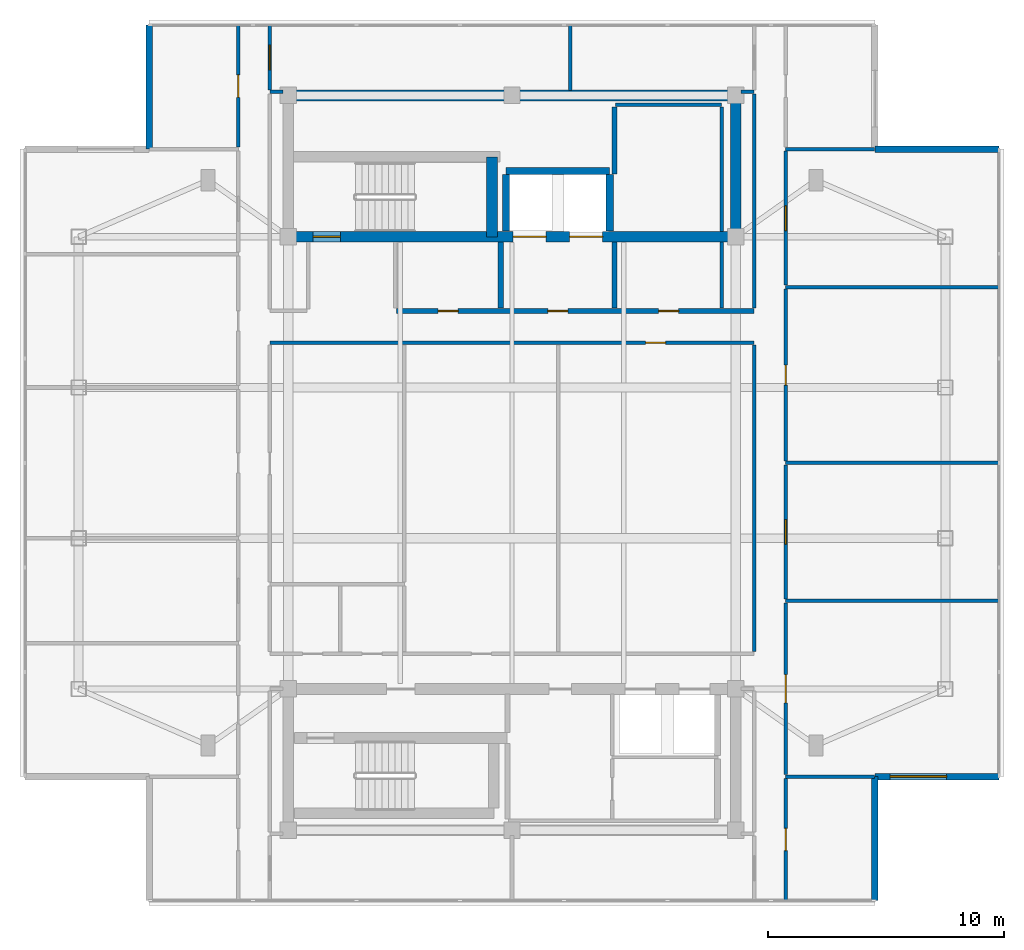
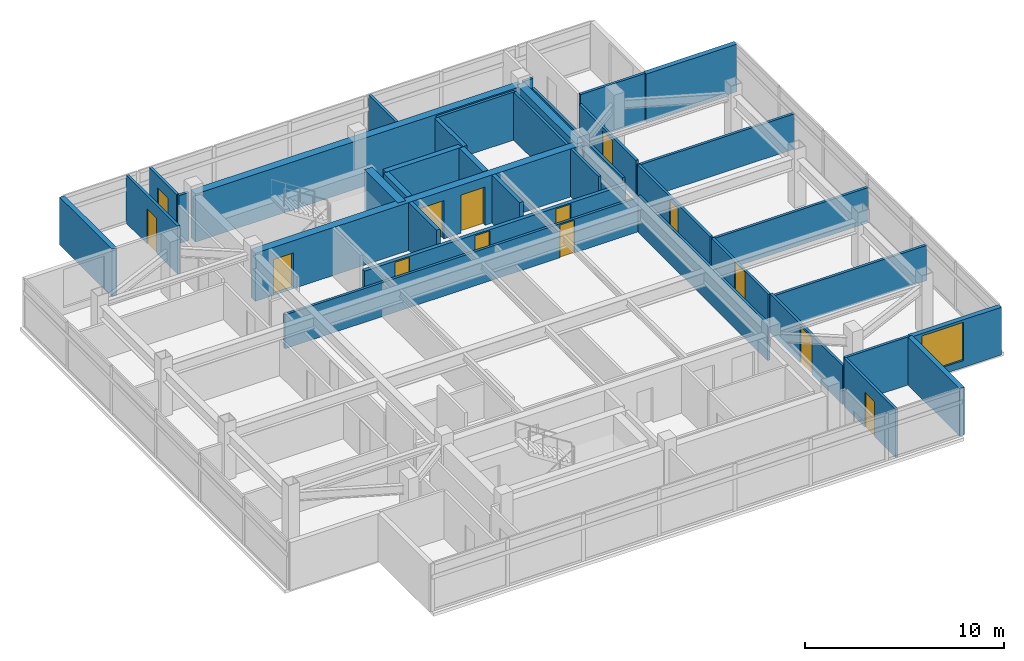
# One storey, part 7 of 11: 36 walls, 14 doors, 1 window, 15 openings.
"""IFC4 building model written with IfcOpenShell, lengths in metres."""

from ifc_helpers import new_model, si_unit, direction, frame, frame_2d, origin, place, context, subcontext, project, spatial, rectangle, extrude, material, layer, layer_set, type_object, element, fill, save


model = new_model("IFC4")

# Units and contexts
model_context = context("Model", 3, precision=1e-05, world=origin(), true_north=direction((0.0, 1.0)))
body_context = subcontext(model_context, "Body", "Model", "MODEL_VIEW")
ifc_project = project(units=[si_unit("LENGTHUNIT", "METRE"), si_unit("AREAUNIT", "SQUARE_METRE"), si_unit("VOLUMEUNIT", "CUBIC_METRE"), si_unit("PLANEANGLEUNIT", "RADIAN"), si_unit("MASSUNIT", "GRAM", prefix="KILO")], contexts=[model_context])

# Site, building, storey
site_placement = place(None, origin())
site = spatial("IfcSite", under=ifc_project, at=site_placement, CompositionType="ELEMENT")
building_placement = place(site_placement, origin())
building = spatial("IfcBuilding", under=site, at=building_placement, Name="Mirazonda Arch Towers", CompositionType="ELEMENT")
storey_placement = place(building_placement, frame((0.0, 0.0, 259.89990234375)))
storey = spatial("IfcBuildingStorey", under=building, at=storey_placement, Name="L74", CompositionType="ELEMENT", Elevation=259.89990234375)

# Walls
ifc_material_1 = material(Name="Concrete C50/60", Category="concrete")
ifc_layer_1 = layer(ifc_material_1, 0.449951171875, Name="WALL-CORE-450")
ifc_layer_set_1 = layer_set([ifc_layer_1], Name="Concrete C50/60")
wall_type_1 = type_object("IfcWallType", Name="WALL-CORE-450", PredefinedType="SHEAR", material=ifc_layer_set_1)
wall_1_placement = place(storey_placement, frame((11.0, 43.60009765625, 0.0), z_axis=(0.0, 0.0, 1.0), x_axis=(1.0, 0.0, 0.0)))
element("IfcWall", 1, at=wall_1_placement, inside=storey, type_object=wall_type_1, Name="L74 T1N-N Core Shear Wall", PredefinedType="SHEAR", context=body_context, shape_type="SweptSolid", body=[
    extrude(rectangle(XDim=19.0, YDim=0.449951171875, at=frame_2d((9.5, 0.0))), origin(), (0.0, 0.0, 1.0), 2.9501953125),
])
wall_2_placement = place(storey_placement, frame((30.0, 37.60009765625, 0.0), z_axis=(0.0, 0.0, 1.0), x_axis=(0.0, 1.0, 0.0)))
element("IfcWall", 2, at=wall_2_placement, inside=storey, type_object=wall_type_1, Name="L74 T1N-E Core Shear Wall", PredefinedType="SHEAR", context=body_context, shape_type="SweptSolid", body=[
    extrude(rectangle(XDim=6.0, YDim=0.449951171875, at=frame_2d((3.0, 0.0))), origin(), (0.0, 0.0, 1.0), 2.9501953125),
])

# Wall, openings, doors
wall_3_placement = place(storey_placement, frame((11.0, 37.60009765625, 0.0), z_axis=(0.0, 0.0, 1.0), x_axis=(1.0, 0.0, 0.0)))
wall_3 = element("IfcWall", 3, at=wall_3_placement, inside=storey, type_object=wall_type_1, Name="L74 T1N-S Core Shear Wall", PredefinedType="SHEAR", context=body_context, shape_type="SweptSolid", body=[
    extrude(rectangle(XDim=19.0, YDim=0.449951171875, at=frame_2d((9.5, 0.0))), origin(), (0.0, 0.0, 1.0), 2.9501953125),
])
opening_1_placement = place(wall_3_placement, frame((1.06005859375, 0.0, 0.0)))
opening_1 = element("IfcOpeningElement", 4, at=opening_1_placement, cuts=wall_3, Name="Opening DR-135", PredefinedType="OPENING", context=body_context, shape_type="SweptSolid", body=[
    extrude(rectangle(XDim=1.14990234375, YDim=2.199951171875, at=frame_2d((0.574951171875, 1.10009765625))), frame((0.0, 0.23486328125, 0.0), z_axis=(0.0, -1.0, 0.0), x_axis=(1.0, 0.0, 0.0)), (0.0, 0.0, 1.0), 0.469970703125),
])
opening_2_placement = place(wall_3_placement, frame((9.550048828125, 0.0, 0.0)))
opening_2 = element("IfcOpeningElement", 5, at=opening_2_placement, cuts=wall_3, Name="Opening LD-112", PredefinedType="OPENING", context=body_context, shape_type="SweptSolid", body=[
    extrude(rectangle(XDim=1.39990234375, YDim=2.35009765625, at=frame_2d((0.699951171875, 1.175048828125))), frame((0.0, 0.23486328125, 0.0), z_axis=(0.0, -1.0, 0.0), x_axis=(1.0, 0.0, 0.0)), (0.0, 0.0, 1.0), 0.469970703125),
])
opening_3_placement = place(wall_3_placement, frame((11.949951171875, 0.0, 0.0)))
opening_3 = element("IfcOpeningElement", 6, at=opening_3_placement, cuts=wall_3, Name="Opening LD-112", PredefinedType="OPENING", context=body_context, shape_type="SweptSolid", body=[
    extrude(rectangle(XDim=1.39990234375, YDim=2.35009765625, at=frame_2d((0.699951171875, 1.175048828125))), frame((0.0, 0.23486328125, 0.0), z_axis=(0.0, -1.0, 0.0), x_axis=(1.0, 0.0, 0.0)), (0.0, 0.0, 1.0), 0.469970703125),
])
ifc_material_2 = material(Name="Architectural Brushed Steel S355", Category="steel")
door_type_1 = type_object("IfcDoorType", Name="DOOR-LIFT-FFL-1400", OperationType="NOTDEFINED", PredefinedType="DOOR", material=ifc_material_2)
door_1_placement = place(opening_2_placement, origin())
door_1 = element("IfcDoor", 7, at=door_1_placement, inside=storey, type_object=door_type_1, Name="L74 Lift Landing Sliding Door FFL-T1", OperationType="DOUBLE_DOOR_SLIDING", OverallHeight=2.35009765625, OverallWidth=1.39990234375, PredefinedType="DOOR", context=body_context, shape_type="SweptSolid", body=[
    extrude(rectangle(XDim=1.39990234375, YDim=2.35009765625, at=frame_2d((0.699951171875, 1.175048828125))), frame((0.0, 0.02490234375, 0.0), z_axis=(0.0, -1.0, 0.0), x_axis=(1.0, 0.0, 0.0)), (0.0, 0.0, 1.0), 0.050048828125),
])
fill(opening_2, door_1)
door_2_placement = place(opening_3_placement, origin())
door_2 = element("IfcDoor", 8, at=door_2_placement, inside=storey, type_object=door_type_1, Name="L74 Lift Landing Sliding Door SVL-T1", OperationType="DOUBLE_DOOR_SLIDING", OverallHeight=2.35009765625, OverallWidth=1.39990234375, PredefinedType="DOOR", context=body_context, shape_type="SweptSolid", body=[
    extrude(rectangle(XDim=1.39990234375, YDim=2.35009765625, at=frame_2d((0.699951171875, 1.175048828125))), frame((0.0, 0.02490234375, 0.0), z_axis=(0.0, -1.0, 0.0), x_axis=(1.0, 0.0, 0.0)), (0.0, 0.0, 1.0), 0.050048828125),
])
fill(opening_3, door_2)
door_type_2 = type_object("IfcDoorType", Name="DOOR-STAIR-FD90-1150", OperationType="NOTDEFINED", PredefinedType="DOOR", material=ifc_material_2)
door_3_placement = place(opening_1_placement, origin())
door_3 = element("IfcDoor", 9, at=door_3_placement, inside=storey, type_object=door_type_2, Name="L74 Protected Exit Stair North Door", OperationType="SINGLE_SWING_RIGHT", OverallHeight=2.199951171875, OverallWidth=1.14990234375, PredefinedType="DOOR", context=body_context, shape_type="SweptSolid", body=[
    extrude(rectangle(XDim=1.14990234375, YDim=2.199951171875, at=frame_2d((0.574951171875, 1.10009765625))), frame((0.0, 0.02490234375, 0.0), z_axis=(0.0, -1.0, 0.0), x_axis=(1.0, 0.0, 0.0)), (0.0, 0.0, 1.0), 0.050048828125),
])
fill(opening_1, door_3)

# Wall
wall_4_placement = place(storey_placement, frame((19.64990234375, 37.60009765625, 0.0), z_axis=(0.0, 0.0, 1.0), x_axis=(0.0, 1.0, 0.0)))
element("IfcWall", 10, at=wall_4_placement, inside=storey, type_object=wall_type_1, Name="L74 T1N-STE Core Shear Wall", PredefinedType="SHEAR", context=body_context, shape_type="SweptSolid", body=[
    extrude(rectangle(XDim=3.392822265625, YDim=0.449951171875, at=frame_2d((1.6962890625, 0.0))), origin(), (0.0, 0.0, 1.0), 2.9501953125),
])

# Wall, opening, window
ifc_material_3 = material(Name="Precast Concrete C40/50", Category="concrete")
ifc_layer_2 = layer(ifc_material_3, 0.280029296875, Name="WALL-EXT-WALL-280")
ifc_layer_set_2 = layer_set([ifc_layer_2], Name="Precast Concrete C40/50")
wall_type_2 = type_object("IfcWallType", Name="WALL-EXT-WALL-280", PredefinedType="SOLIDWALL", material=ifc_layer_set_2)
wall_5_placement = place(storey_placement, frame((35.905029296875, 14.680908203125, 0.0), z_axis=(0.0, 0.0, 1.0), x_axis=(1.0, 0.0, 0.0)))
wall_5 = element("IfcWall", 11, at=wall_5_placement, inside=storey, type_object=wall_type_2, Name="L74 T1 Corner Notch Return Wall WL-L74-T1-CSE1", PredefinedType="SOLIDWALL", context=body_context, shape_type="SweptSolid", body=[
    extrude(rectangle(XDim=5.264892578125, YDim=0.280029296875, at=frame_2d((2.63232421875, 0.0))), origin(), (0.0, 0.0, 1.0), 2.93017578125),
])
opening_4_placement = place(wall_5_placement, frame((0.64990234375, 0.0, 0.429931640625)))
opening_4 = element("IfcOpeningElement", 12, at=opening_4_placement, cuts=wall_5, Name="Opening WN-121", PredefinedType="OPENING", context=body_context, shape_type="SweptSolid", body=[
    extrude(rectangle(XDim=2.39990234375, YDim=2.35009765625, at=frame_2d((1.199951171875, 1.175048828125))), frame((0.0, 0.14990234375, 0.0), z_axis=(0.0, -1.0, 0.0), x_axis=(1.0, 0.0, 0.0)), (0.0, 0.0, 1.0), 0.300048828125),
])
ifc_material_4 = material(Name="Insulated Low-E Solar Glass", Category="glass")
window_type = type_object("IfcWindowType", Name="WIN-PENT-2400x2350", PartitioningType="SINGLE_PANEL", PredefinedType="WINDOW", material=ifc_material_4)
window_placement = place(opening_4_placement, origin())
window = element("IfcWindow", 13, at=window_placement, inside=storey, type_object=window_type, Name="L74 Punched Facade Window WN-L74-T1-CSE1", OverallHeight=2.35009765625, OverallWidth=2.39990234375, PartitioningType="SINGLE_PANEL", PredefinedType="WINDOW", context=body_context, shape_type="SweptSolid", body=[
    extrude(rectangle(XDim=2.39990234375, YDim=2.35009765625, at=frame_2d((1.199951171875, 1.175048828125))), frame((0.0, 0.030029296875, 0.0), z_axis=(0.0, -1.0, 0.0), x_axis=(1.0, 0.0, 0.0)), (0.0, 0.0, 1.0), 0.06005859375),
])
fill(opening_4, window)

# Walls
for number, where, z_axis, x_axis, name in (
    (14, (35.905029296875, 9.416015625, 0.0), (0.0, 0.0, 1.0), (0.0, 1.0, 0.0), "L74 T1 Corner Notch Return Wall WL-L74-T1-CSE2"),
    (15, (5.094970703125, 46.583984375, 0.0), (0.0, 0.0, 1.0), (0.0, -1.0, 0.0), "L74 T1 Corner Notch Return Wall WL-L74-T1-CNW2"),
    (16, (41.169921875, 41.319091796875, 0.0), (0.0, 0.0, 1.0), (-1.0, 0.0, 0.0), "L74 T1 Corner Notch Return Wall WL-L74-T1-CNE2"),
):
    element("IfcWall", number, at=place(storey_placement, frame(where, z_axis=z_axis, x_axis=x_axis)), inside=storey, type_object=wall_type_2, Name=name, PredefinedType="SOLIDWALL", context=body_context, shape_type="SweptSolid", body=[
        extrude(rectangle(XDim=5.264892578125, YDim=0.280029296875, at=frame_2d((2.63232421875, 0.0))), origin(), (0.0, 0.0, 1.0), 2.93017578125),
    ])

# Wall, openings, doors
ifc_material_5 = material(Name="Concrete C40/50", Category="concrete")
ifc_layer_3 = layer(ifc_material_5, 0.219970703125, Name="WALL-FFL-220")
ifc_layer_set_3 = layer_set([ifc_layer_3], Name="Concrete C40/50")
wall_type_3 = type_object("IfcWallType", Name="WALL-FFL-220", PredefinedType="SOLIDWALL", material=ifc_layer_set_3)
wall_6_placement = place(storey_placement, frame((15.590087890625, 34.449951171875, 0.0), z_axis=(0.0, 0.0, 1.0), x_axis=(1.0, 0.0, 0.0)))
wall_6 = element("IfcWall", 17, at=wall_6_placement, inside=storey, type_object=wall_type_3, Name="L74 Interior Partition 020", PredefinedType="SOLIDWALL", context=body_context, shape_type="SweptSolid", body=[
    extrude(rectangle(XDim=15.18994140625, YDim=0.219970703125, at=frame_2d((7.594970703125, 0.0))), origin(), (0.0, 0.0, 1.0), 2.086181640625),
])
opening_5_placement = place(wall_6_placement, frame((6.43505859375, 0.0, 0.0)))
opening_5 = element("IfcOpeningElement", 18, at=opening_5_placement, cuts=wall_6, Name="Opening DR-128", PredefinedType="OPENING", context=body_context, shape_type="SweptSolid", body=[
    extrude(rectangle(XDim=0.85009765625, YDim=2.010009765625, at=frame_2d((0.425048828125, 1.0048828125))), frame((0.0, 0.119873046875, 0.0), z_axis=(0.0, -1.0, 0.0), x_axis=(1.0, 0.0, 0.0)), (0.0, 0.0, 1.0), 0.239990234375),
])
opening_6_placement = place(wall_6_placement, frame((11.135009765625, 0.0, 0.0)))
opening_6 = element("IfcOpeningElement", 19, at=opening_6_placement, cuts=wall_6, Name="Opening DR-128", PredefinedType="OPENING", context=body_context, shape_type="SweptSolid", body=[
    extrude(rectangle(XDim=0.85009765625, YDim=2.010009765625, at=frame_2d((0.425048828125, 1.0048828125))), frame((0.0, 0.119873046875, 0.0), z_axis=(0.0, -1.0, 0.0), x_axis=(1.0, 0.0, 0.0)), (0.0, 0.0, 1.0), 0.239990234375),
])
opening_7_placement = place(wall_6_placement, frame((1.77490234375, 0.0, 0.0)))
opening_7 = element("IfcOpeningElement", 20, at=opening_7_placement, cuts=wall_6, Name="Opening DR-128", PredefinedType="OPENING", context=body_context, shape_type="SweptSolid", body=[
    extrude(rectangle(XDim=0.85009765625, YDim=2.010009765625, at=frame_2d((0.425048828125, 1.0048828125))), frame((0.0, 0.119873046875, 0.0), z_axis=(0.0, -1.0, 0.0), x_axis=(1.0, 0.0, 0.0)), (0.0, 0.0, 1.0), 0.239990234375),
])
door_type_3 = type_object("IfcDoorType", Name="DOOR-RISER-FD60-850", OperationType="NOTDEFINED", PredefinedType="DOOR", material=ifc_material_2)
door_4_placement = place(opening_5_placement, origin())
door_4 = element("IfcDoor", 21, at=door_4_placement, inside=storey, type_object=door_type_3, Name="L74 Firefighting Lift Lobby Door", OperationType="SINGLE_SWING_LEFT", OverallHeight=2.010009765625, OverallWidth=0.85009765625, PredefinedType="DOOR", context=body_context, shape_type="SweptSolid", body=[
    extrude(rectangle(XDim=0.85009765625, YDim=2.010009765625, at=frame_2d((0.425048828125, 1.0048828125))), frame((0.0, 0.02490234375, 0.0), z_axis=(0.0, -1.0, 0.0), x_axis=(1.0, 0.0, 0.0)), (0.0, 0.0, 1.0), 0.050048828125),
])
fill(opening_5, door_4)
door_5_placement = place(opening_6_placement, origin())
door_5 = element("IfcDoor", 22, at=door_5_placement, inside=storey, type_object=door_type_3, Name="L74 Sky-Lookout Panorama Gallery Door", OperationType="SINGLE_SWING_RIGHT", OverallHeight=2.010009765625, OverallWidth=0.85009765625, PredefinedType="DOOR", context=body_context, shape_type="SweptSolid", body=[
    extrude(rectangle(XDim=0.85009765625, YDim=2.010009765625, at=frame_2d((0.425048828125, 1.0048828125))), frame((0.0, 0.02490234375, 0.0), z_axis=(0.0, -1.0, 0.0), x_axis=(1.0, 0.0, 0.0)), (0.0, 0.0, 1.0), 0.050048828125),
])
fill(opening_6, door_5)
door_6_placement = place(opening_7_placement, origin())
door_6 = element("IfcDoor", 23, at=door_6_placement, inside=storey, type_object=door_type_3, Name="L74 Housekeeping Linen Room Door", OperationType="SINGLE_SWING_LEFT", OverallHeight=2.010009765625, OverallWidth=0.85009765625, PredefinedType="DOOR", context=body_context, shape_type="SweptSolid", body=[
    extrude(rectangle(XDim=0.85009765625, YDim=2.010009765625, at=frame_2d((0.425048828125, 1.0048828125))), frame((0.0, 0.02490234375, 0.0), z_axis=(0.0, -1.0, 0.0), x_axis=(1.0, 0.0, 0.0)), (0.0, 0.0, 1.0), 0.050048828125),
])
fill(opening_7, door_6)

# Walls
for number, where, z_axis, x_axis, name in (
    (24, (20.02490234375, 34.570068359375, 0.0), (0.0, 0.0, 1.0), (0.0, 1.0, 0.0), "L74 Interior Partition 048"),
    (25, (24.85009765625, 34.570068359375, 0.0), (0.0, 0.0, 1.0), (0.0, 1.0, 0.0), "L74 Interior Partition 058"),
):
    element("IfcWall", number, at=place(storey_placement, frame(where, z_axis=z_axis, x_axis=x_axis)), inside=storey, type_object=wall_type_3, Name=name, PredefinedType="SOLIDWALL", context=body_context, shape_type="SweptSolid", body=[
        extrude(rectangle(XDim=2.809814453125, YDim=0.219970703125, at=frame_2d((1.40478515625, 0.0))), origin(), (0.0, 0.0, 1.0), 2.9501953125),
    ])
wall_7_placement = place(storey_placement, frame((24.85009765625, 40.260009765625, 0.0), z_axis=(0.0, 0.0, 1.0), x_axis=(0.0, 1.0, 0.0)))
element("IfcWall", 26, at=wall_7_placement, inside=storey, type_object=wall_type_3, Name="L74 Interior Partition 059", PredefinedType="SOLIDWALL", context=body_context, shape_type="SweptSolid", body=[
    extrude(rectangle(XDim=2.85498046875, YDim=0.219970703125, at=frame_2d((1.427490234375, 0.0))), origin(), (0.0, 0.0, 1.0), 2.9501953125),
])
ifc_material_6 = material(Name="Fire-Rated Gypsum Stud Partition")
ifc_layer_4 = layer(ifc_material_6, 0.14990234375, Name="WALL-PART-CORR-150")
ifc_layer_set_4 = layer_set([ifc_layer_4], Name="Fire-Rated Gypsum Stud Partition")
wall_type_4 = type_object("IfcWallType", Name="WALL-PART-CORR-150", PredefinedType="PARTITIONING", material=ifc_layer_set_4)
wall_8_placement = place(storey_placement, frame((32.1201171875, 14.680908203125, 0.0), z_axis=(0.0, 0.0, 1.0), x_axis=(1.0, 0.0, 0.0)))
element("IfcWall", 27, at=wall_8_placement, inside=storey, type_object=wall_type_4, Name="L74 Interior Partition 006", PredefinedType="PARTITIONING", context=body_context, shape_type="SweptSolid", body=[
    extrude(rectangle(XDim=3.764892578125, YDim=0.14990234375, at=frame_2d((1.88232421875, 0.0))), origin(), (0.0, 0.0, 1.0), 2.9501953125),
])
for number, where, z_axis, x_axis, name in (
    (28, (32.1201171875, 22.139892578125, 0.0), (0.0, 0.0, 1.0), (1.0, 0.0, 0.0), "L74 Interior Partition 013"),
    (29, (32.1201171875, 28.0, 0.0), (0.0, 0.0, 1.0), (1.0, 0.0, 0.0), "L74 Interior Partition 016"),
):
    element("IfcWall", number, at=place(storey_placement, frame(where, z_axis=z_axis, x_axis=x_axis)), inside=storey, type_object=wall_type_4, Name=name, PredefinedType="PARTITIONING", context=body_context, shape_type="SweptSolid", body=[
        extrude(rectangle(XDim=9.0498046875, YDim=0.14990234375, at=frame_2d((4.52490234375, 0.0))), origin(), (0.0, 0.0, 1.0), 2.169189453125),
    ])

# Wall, opening, door
wall_9_placement = place(storey_placement, frame((10.219970703125, 33.10009765625, 0.0), z_axis=(0.0, 0.0, 1.0), x_axis=(1.0, 0.0, 0.0)))
wall_9 = element("IfcWall", 30, at=wall_9_placement, inside=storey, type_object=wall_type_4, Name="L74 Interior Partition 018", PredefinedType="PARTITIONING", context=body_context, shape_type="SweptSolid", body=[
    extrude(rectangle(XDim=20.56005859375, YDim=0.14990234375, at=frame_2d((10.280029296875, 0.0))), origin(), (0.0, 0.0, 1.0), 2.086181640625),
])
opening_8_placement = place(wall_9_placement, frame((15.95703125, 0.0, 0.0)))
opening_8 = element("IfcOpeningElement", 31, at=opening_8_placement, cuts=wall_9, Name="Opening DR-128", PredefinedType="OPENING", context=body_context, shape_type="SweptSolid", body=[
    extrude(rectangle(XDim=0.85009765625, YDim=2.010009765625, at=frame_2d((0.425048828125, 1.0048828125))), frame((0.0, 0.0849609375, 0.0), z_axis=(0.0, -1.0, 0.0), x_axis=(1.0, 0.0, 0.0)), (0.0, 0.0, 1.0), 0.169921875),
])
door_7_placement = place(opening_8_placement, origin())
door_7 = element("IfcDoor", 32, at=door_7_placement, inside=storey, type_object=door_type_3, Name="L74 VIP Observation Salon Door", OperationType="SINGLE_SWING_LEFT", OverallHeight=2.010009765625, OverallWidth=0.85009765625, PredefinedType="DOOR", context=body_context, shape_type="SweptSolid", body=[
    extrude(rectangle(XDim=0.85009765625, YDim=2.010009765625, at=frame_2d((0.425048828125, 1.0048828125))), frame((0.0, 0.02490234375, 0.0), z_axis=(0.0, -1.0, 0.0), x_axis=(1.0, 0.0, 0.0)), (0.0, 0.0, 1.0), 0.050048828125),
])
fill(opening_8, door_7)

# Walls
wall_10_placement = place(storey_placement, frame((32.1201171875, 35.458984375, 0.0), z_axis=(0.0, 0.0, 1.0), x_axis=(1.0, 0.0, 0.0)))
element("IfcWall", 33, at=wall_10_placement, inside=storey, type_object=wall_type_4, Name="L74 Interior Partition 021", PredefinedType="PARTITIONING", context=body_context, shape_type="SweptSolid", body=[
    extrude(rectangle(XDim=9.0498046875, YDim=0.14990234375, at=frame_2d((4.52490234375, 0.0))), origin(), (0.0, 0.0, 1.0), 2.169189453125),
])
wall_11_placement = place(storey_placement, frame((32.1201171875, 41.319091796875, 0.0), z_axis=(0.0, 0.0, 1.0), x_axis=(1.0, 0.0, 0.0)))
element("IfcWall", 34, at=wall_11_placement, inside=storey, type_object=wall_type_4, Name="L74 Interior Partition 025", PredefinedType="PARTITIONING", context=body_context, shape_type="SweptSolid", body=[
    extrude(rectangle(XDim=3.764892578125, YDim=0.14990234375, at=frame_2d((1.88232421875, 0.0))), origin(), (0.0, 0.0, 1.0), 2.9501953125),
])
wall_12_placement = place(storey_placement, frame((24.89990234375, 43.199951171875, 0.0), z_axis=(0.0, 0.0, 1.0), x_axis=(1.0, 0.0, 0.0)))
element("IfcWall", 35, at=wall_12_placement, inside=storey, type_object=wall_type_4, Name="L74 Interior Partition 026", PredefinedType="PARTITIONING", context=body_context, shape_type="SweptSolid", body=[
    extrude(rectangle(XDim=4.5, YDim=0.14990234375, at=frame_2d((2.25, 0.0))), origin(), (0.0, 0.0, 1.0), 2.9501953125),
])
for number, where, z_axis, x_axis, name in (
    (36, (10.219970703125, 43.75, 0.0), (0.0, 0.0, 1.0), (1.0, 0.0, 0.0), "L74 Interior Partition 027"),
    (37, (30.219970703125, 43.75, 0.0), (0.0, 0.0, 1.0), (1.0, 0.0, 0.0), "L74 Interior Partition 028"),
):
    element("IfcWall", number, at=place(storey_placement, frame(where, z_axis=z_axis, x_axis=x_axis)), inside=storey, type_object=wall_type_4, Name=name, PredefinedType="PARTITIONING", context=body_context, shape_type="SweptSolid", body=[
        extrude(rectangle(XDim=0.56005859375, YDim=0.14990234375, at=frame_2d((0.280029296875, 0.0))), origin(), (0.0, 0.0, 1.0), 2.9501953125),
    ])

# Wall, opening, door
wall_13_placement = place(storey_placement, frame((8.8798828125, 41.404052734375, 0.0), z_axis=(0.0, 0.0, 1.0), x_axis=(0.0, 1.0, 0.0)))
wall_13 = element("IfcWall", 38, at=wall_13_placement, inside=storey, type_object=wall_type_4, Name="L74 Interior Partition 035", PredefinedType="PARTITIONING", context=body_context, shape_type="SweptSolid", body=[
    extrude(rectangle(XDim=5.179931640625, YDim=0.14990234375, at=frame_2d((2.58984375, 0.0))), origin(), (0.0, 0.0, 1.0), 2.9501953125),
])
opening_9_placement = place(wall_13_placement, frame((2.114990234375, 0.0, 0.0)))
opening_9 = element("IfcOpeningElement", 39, at=opening_9_placement, cuts=wall_13, Name="Opening DR-104", PredefinedType="OPENING", context=body_context, shape_type="SweptSolid", body=[
    extrude(rectangle(XDim=0.949951171875, YDim=2.14990234375, at=frame_2d((0.47509765625, 1.074951171875))), frame((0.0, 0.0849609375, 0.0), z_axis=(0.0, -1.0, 0.0), x_axis=(1.0, 0.0, 0.0)), (0.0, 0.0, 1.0), 0.169921875),
])
door_type_4 = type_object("IfcDoorType", Name="DOOR-ROOM-950", OperationType="NOTDEFINED", PredefinedType="DOOR", material=ifc_material_2)
door_8_placement = place(opening_9_placement, origin())
door_8 = element("IfcDoor", 40, at=door_8_placement, inside=storey, type_object=door_type_4, Name="L74 North Skyline Gallery Alcove West Door", OperationType="SINGLE_SWING_RIGHT", OverallHeight=2.14990234375, OverallWidth=0.949951171875, PredefinedType="DOOR", context=body_context, shape_type="SweptSolid", body=[
    extrude(rectangle(XDim=0.949951171875, YDim=2.14990234375, at=frame_2d((0.47509765625, 1.074951171875))), frame((0.0, 0.02490234375, 0.0), z_axis=(0.0, -1.0, 0.0), x_axis=(1.0, 0.0, 0.0)), (0.0, 0.0, 1.0), 0.050048828125),
])
fill(opening_9, door_8)

wall_14_placement = place(storey_placement, frame((10.219970703125, 43.8349609375, 0.0), z_axis=(0.0, 0.0, 1.0), x_axis=(0.0, 1.0, 0.0)))
wall_14 = element("IfcWall", 41, at=wall_14_placement, inside=storey, type_object=wall_type_4, Name="L74 Interior Partition 041", PredefinedType="PARTITIONING", context=body_context, shape_type="SweptSolid", body=[
    extrude(rectangle(XDim=2.7490234375, YDim=0.14990234375, at=frame_2d((1.37451171875, 0.0))), origin(), (0.0, 0.0, 1.0), 2.9501953125),
])
opening_10_placement = place(wall_14_placement, frame((0.849609375, 0.0, 0.0)))
opening_10 = element("IfcOpeningElement", 42, at=opening_10_placement, cuts=wall_14, Name="Opening DR-121", PredefinedType="OPENING", context=body_context, shape_type="SweptSolid", body=[
    extrude(rectangle(XDim=1.050048828125, YDim=2.199951171875, at=frame_2d((0.52490234375, 1.10009765625))), frame((0.0, 0.0849609375, 0.0), z_axis=(0.0, -1.0, 0.0), x_axis=(1.0, 0.0, 0.0)), (0.0, 0.0, 1.0), 0.169921875),
])
door_type_5 = type_object("IfcDoorType", Name="DOOR-SUITE-FD60-1050", OperationType="NOTDEFINED", PredefinedType="DOOR", material=ifc_material_2)
door_9_placement = place(opening_10_placement, origin())
door_9 = element("IfcDoor", 43, at=door_9_placement, inside=storey, type_object=door_type_5, Name="L74 North Skyline Gallery West Door", OperationType="SINGLE_SWING_RIGHT", OverallHeight=2.199951171875, OverallWidth=1.050048828125, PredefinedType="DOOR", context=body_context, shape_type="SweptSolid", body=[
    extrude(rectangle(XDim=1.050048828125, YDim=2.199951171875, at=frame_2d((0.52490234375, 1.10009765625))), frame((0.0, 0.02490234375, 0.0), z_axis=(0.0, -1.0, 0.0), x_axis=(1.0, 0.0, 0.0)), (0.0, 0.0, 1.0), 0.050048828125),
])
fill(opening_10, door_9)

# Walls
wall_15_placement = place(storey_placement, frame((22.967041015625, 43.820068359375, 0.0), z_axis=(0.0, 0.0, 1.0), x_axis=(0.0, 1.0, 0.0)))
element("IfcWall", 44, at=wall_15_placement, inside=storey, type_object=wall_type_4, Name="L74 Interior Partition 054", PredefinedType="PARTITIONING", context=body_context, shape_type="SweptSolid", body=[
    extrude(rectangle(XDim=2.763916015625, YDim=0.14990234375, at=frame_2d((1.3818359375, 0.0))), origin(), (0.0, 0.0, 1.0), 2.9501953125),
])
wall_16_placement = place(storey_placement, frame((29.39990234375, 34.570068359375, 0.0), z_axis=(0.0, 0.0, 1.0), x_axis=(0.0, 1.0, 0.0)))
element("IfcWall", 45, at=wall_16_placement, inside=storey, type_object=wall_type_4, Name="L74 Interior Partition 062", PredefinedType="PARTITIONING", context=body_context, shape_type="SweptSolid", body=[
    extrude(rectangle(XDim=2.809814453125, YDim=0.14990234375, at=frame_2d((1.40478515625, 0.0))), origin(), (0.0, 0.0, 1.0), 2.9501953125),
])
wall_17_placement = place(storey_placement, frame((29.39990234375, 37.820068359375, 0.0), z_axis=(0.0, 0.0, 1.0), x_axis=(0.0, 1.0, 0.0)))
element("IfcWall", 46, at=wall_17_placement, inside=storey, type_object=wall_type_4, Name="L74 Interior Partition 063", PredefinedType="PARTITIONING", context=body_context, shape_type="SweptSolid", body=[
    extrude(rectangle(XDim=5.294921875, YDim=0.14990234375, at=frame_2d((2.6474609375, 0.0))), origin(), (0.0, 0.0, 1.0), 2.9501953125),
])
wall_18_placement = place(storey_placement, frame((30.780029296875, 19.985107421875, 0.0), z_axis=(0.0, 0.0, 1.0), x_axis=(0.0, 1.0, 0.0)))
element("IfcWall", 47, at=wall_18_placement, inside=storey, type_object=wall_type_4, Name="L74 Interior Partition 066", PredefinedType="PARTITIONING", context=body_context, shape_type="SweptSolid", body=[
    extrude(rectangle(XDim=13.02978515625, YDim=0.14990234375, at=frame_2d((6.514892578125, 0.0))), origin(), (0.0, 0.0, 1.0), 2.24609375),
])
wall_19_placement = place(storey_placement, frame((30.780029296875, 34.570068359375, 0.0), z_axis=(0.0, 0.0, 1.0), x_axis=(0.0, 1.0, 0.0)))
element("IfcWall", 48, at=wall_19_placement, inside=storey, type_object=wall_type_4, Name="L74 Interior Partition 067", PredefinedType="PARTITIONING", context=body_context, shape_type="SweptSolid", body=[
    extrude(rectangle(XDim=9.094970703125, YDim=0.14990234375, at=frame_2d((4.54736328125, 0.0))), origin(), (0.0, 0.0, 1.0), 2.39306640625),
])

# Wall, opening, door
wall_20_placement = place(storey_placement, frame((32.1201171875, 9.416015625, 0.0), z_axis=(0.0, 0.0, 1.0), x_axis=(0.0, 1.0, 0.0)))
wall_20 = element("IfcWall", 49, at=wall_20_placement, inside=storey, type_object=wall_type_4, Name="L74 Interior Partition 069", PredefinedType="PARTITIONING", context=body_context, shape_type="SweptSolid", body=[
    extrude(rectangle(XDim=5.179931640625, YDim=0.14990234375, at=frame_2d((2.58984375, 0.0))), origin(), (0.0, 0.0, 1.0), 2.9501953125),
])
opening_11_placement = place(wall_20_placement, frame((2.114990234375, 0.0, 0.0)))
opening_11 = element("IfcOpeningElement", 50, at=opening_11_placement, cuts=wall_20, Name="Opening DR-104", PredefinedType="OPENING", context=body_context, shape_type="SweptSolid", body=[
    extrude(rectangle(XDim=0.949951171875, YDim=2.14990234375, at=frame_2d((0.47509765625, 1.074951171875))), frame((0.0, 0.0849609375, 0.0), z_axis=(0.0, -1.0, 0.0), x_axis=(1.0, 0.0, 0.0)), (0.0, 0.0, 1.0), 0.169921875),
])
door_10_placement = place(opening_11_placement, origin())
door_10 = element("IfcDoor", 51, at=door_10_placement, inside=storey, type_object=door_type_4, Name="L74 South Lookout Salon Alcove East Door", OperationType="SINGLE_SWING_LEFT", OverallHeight=2.14990234375, OverallWidth=0.949951171875, PredefinedType="DOOR", context=body_context, shape_type="SweptSolid", body=[
    extrude(rectangle(XDim=0.949951171875, YDim=2.14990234375, at=frame_2d((0.47509765625, 1.074951171875))), frame((0.0, 0.02490234375, 0.0), z_axis=(0.0, -1.0, 0.0), x_axis=(1.0, 0.0, 0.0)), (0.0, 0.0, 1.0), 0.050048828125),
])
fill(opening_11, door_10)

wall_21_placement = place(storey_placement, frame((32.1201171875, 14.76611328125, 0.0), z_axis=(0.0, 0.0, 1.0), x_axis=(0.0, 1.0, 0.0)))
wall_21 = element("IfcWall", 52, at=wall_21_placement, inside=storey, type_object=wall_type_4, Name="L74 Interior Partition 070", PredefinedType="PARTITIONING", context=body_context, shape_type="SweptSolid", body=[
    extrude(rectangle(XDim=7.288818359375, YDim=0.14990234375, at=frame_2d((3.64453125, 0.0))), origin(), (0.0, 0.0, 1.0), 2.39306640625),
])
opening_12_placement = place(wall_21_placement, frame((3.04443359375, 0.0, 0.0)))
opening_12 = element("IfcOpeningElement", 53, at=opening_12_placement, cuts=wall_21, Name="Opening DR-117", PredefinedType="OPENING", context=body_context, shape_type="SweptSolid", body=[
    extrude(rectangle(XDim=1.199951171875, YDim=2.25, at=frame_2d((0.60009765625, 1.125))), frame((0.0, 0.0849609375, 0.0), z_axis=(0.0, -1.0, 0.0), x_axis=(1.0, 0.0, 0.0)), (0.0, 0.0, 1.0), 0.169921875),
])
door_type_6 = type_object("IfcDoorType", Name="DOOR-FFL-FD90-1200", OperationType="NOTDEFINED", PredefinedType="DOOR", material=ifc_material_2)
door_11_placement = place(opening_12_placement, origin())
door_11 = element("IfcDoor", 54, at=door_11_placement, inside=storey, type_object=door_type_6, Name="L74 Interactive City Heritage Gallery 1 Door", OperationType="SINGLE_SWING_RIGHT", OverallHeight=2.25, OverallWidth=1.199951171875, PredefinedType="DOOR", context=body_context, shape_type="SweptSolid", body=[
    extrude(rectangle(XDim=1.199951171875, YDim=2.25, at=frame_2d((0.60009765625, 1.125))), frame((0.0, 0.02490234375, 0.0), z_axis=(0.0, -1.0, 0.0), x_axis=(1.0, 0.0, 0.0)), (0.0, 0.0, 1.0), 0.050048828125),
])
fill(opening_12, door_11)

wall_22_placement = place(storey_placement, frame((32.1201171875, 22.22509765625, 0.0), z_axis=(0.0, 0.0, 1.0), x_axis=(0.0, 1.0, 0.0)))
wall_22 = element("IfcWall", 55, at=wall_22_placement, inside=storey, type_object=wall_type_4, Name="L74 Interior Partition 071", PredefinedType="PARTITIONING", context=body_context, shape_type="SweptSolid", body=[
    extrude(rectangle(XDim=5.68994140625, YDim=0.14990234375, at=frame_2d((2.844970703125, 0.0))), origin(), (0.0, 0.0, 1.0), 2.24609375),
])
opening_13_placement = place(wall_22_placement, frame((2.320068359375, 0.0, 0.0)))
opening_13 = element("IfcOpeningElement", 56, at=opening_13_placement, cuts=wall_22, Name="Opening DR-121", PredefinedType="OPENING", context=body_context, shape_type="SweptSolid", body=[
    extrude(rectangle(XDim=1.050048828125, YDim=2.199951171875, at=frame_2d((0.52490234375, 1.10009765625))), frame((0.0, 0.0849609375, 0.0), z_axis=(0.0, -1.0, 0.0), x_axis=(1.0, 0.0, 0.0)), (0.0, 0.0, 1.0), 0.169921875),
])
door_12_placement = place(opening_13_placement, origin())
door_12 = element("IfcDoor", 57, at=door_12_placement, inside=storey, type_object=door_type_5, Name="L74 Sky-Lookout Espresso & Patisserie Bar 1B Door", OperationType="SINGLE_SWING_LEFT", OverallHeight=2.199951171875, OverallWidth=1.050048828125, PredefinedType="DOOR", context=body_context, shape_type="SweptSolid", body=[
    extrude(rectangle(XDim=1.050048828125, YDim=2.199951171875, at=frame_2d((0.52490234375, 1.10009765625))), frame((0.0, 0.02490234375, 0.0), z_axis=(0.0, -1.0, 0.0), x_axis=(1.0, 0.0, 0.0)), (0.0, 0.0, 1.0), 0.050048828125),
])
fill(opening_13, door_12)

wall_23_placement = place(storey_placement, frame((32.1201171875, 28.0849609375, 0.0), z_axis=(0.0, 0.0, 1.0), x_axis=(0.0, 1.0, 0.0)))
wall_23 = element("IfcWall", 58, at=wall_23_placement, inside=storey, type_object=wall_type_4, Name="L74 Interior Partition 072", PredefinedType="PARTITIONING", context=body_context, shape_type="SweptSolid", body=[
    extrude(rectangle(XDim=7.2890625, YDim=0.14990234375, at=frame_2d((3.64453125, 0.0))), origin(), (0.0, 0.0, 1.0), 2.24609375),
])
opening_14_placement = place(wall_23_placement, frame((3.219482421875, 0.0, 0.0)))
opening_14 = element("IfcOpeningElement", 59, at=opening_14_placement, cuts=wall_23, Name="Opening DR-128", PredefinedType="OPENING", context=body_context, shape_type="SweptSolid", body=[
    extrude(rectangle(XDim=0.85009765625, YDim=2.010009765625, at=frame_2d((0.425048828125, 1.0048828125))), frame((0.0, 0.0849609375, 0.0), z_axis=(0.0, -1.0, 0.0), x_axis=(1.0, 0.0, 0.0)), (0.0, 0.0, 1.0), 0.169921875),
])
door_13_placement = place(opening_14_placement, origin())
door_13 = element("IfcDoor", 60, at=door_13_placement, inside=storey, type_object=door_type_3, Name="L74 High-Altitude Telescope Salon 2 Door", OperationType="SINGLE_SWING_RIGHT", OverallHeight=2.010009765625, OverallWidth=0.85009765625, PredefinedType="DOOR", context=body_context, shape_type="SweptSolid", body=[
    extrude(rectangle(XDim=0.85009765625, YDim=2.010009765625, at=frame_2d((0.425048828125, 1.0048828125))), frame((0.0, 0.02490234375, 0.0), z_axis=(0.0, -1.0, 0.0), x_axis=(1.0, 0.0, 0.0)), (0.0, 0.0, 1.0), 0.050048828125),
])
fill(opening_14, door_13)

wall_24_placement = place(storey_placement, frame((32.1201171875, 35.5439453125, 0.0), z_axis=(0.0, 0.0, 1.0), x_axis=(0.0, 1.0, 0.0)))
wall_24 = element("IfcWall", 61, at=wall_24_placement, inside=storey, type_object=wall_type_4, Name="L74 Interior Partition 073", PredefinedType="PARTITIONING", context=body_context, shape_type="SweptSolid", body=[
    extrude(rectangle(XDim=5.68994140625, YDim=0.14990234375, at=frame_2d((2.844970703125, 0.0))), origin(), (0.0, 0.0, 1.0), 2.39306640625),
])
opening_15_placement = place(wall_24_placement, frame((2.320068359375, 0.0, 0.0)))
opening_15 = element("IfcOpeningElement", 62, at=opening_15_placement, cuts=wall_24, Name="Opening DR-121", PredefinedType="OPENING", context=body_context, shape_type="SweptSolid", body=[
    extrude(rectangle(XDim=1.050048828125, YDim=2.199951171875, at=frame_2d((0.52490234375, 1.10009765625))), frame((0.0, 0.0849609375, 0.0), z_axis=(0.0, -1.0, 0.0), x_axis=(1.0, 0.0, 0.0)), (0.0, 0.0, 1.0), 0.169921875),
])
door_14_placement = place(opening_15_placement, origin())
door_14 = element("IfcDoor", 63, at=door_14_placement, inside=storey, type_object=door_type_5, Name="L74 Sunset Horizon Viewing Terrace Salon 2B Door", OperationType="SINGLE_SWING_LEFT", OverallHeight=2.199951171875, OverallWidth=1.050048828125, PredefinedType="DOOR", context=body_context, shape_type="SweptSolid", body=[
    extrude(rectangle(XDim=1.050048828125, YDim=2.199951171875, at=frame_2d((0.52490234375, 1.10009765625))), frame((0.0, 0.02490234375, 0.0), z_axis=(0.0, -1.0, 0.0), x_axis=(1.0, 0.0, 0.0)), (0.0, 0.0, 1.0), 0.050048828125),
])
fill(opening_15, door_14)

# Walls
ifc_layer_5 = layer(ifc_material_1, 0.300048828125, Name="WALL-SHAFT-300")
ifc_layer_set_5 = layer_set([ifc_layer_5], Name="Concrete C50/60")
wall_type_5 = type_object("IfcWallType", Name="WALL-SHAFT-300", PredefinedType="SOLIDWALL", material=ifc_layer_set_5)
wall_25_placement = place(storey_placement, frame((20.25, 40.39990234375, 0.0), z_axis=(0.0, 0.0, 1.0), x_axis=(1.0, 0.0, 0.0)))
element("IfcWall", 64, at=wall_25_placement, inside=storey, type_object=wall_type_5, Name="L74 Interior Partition 023", PredefinedType="SOLIDWALL", context=body_context, shape_type="SweptSolid", body=[
    extrude(rectangle(XDim=4.39990234375, YDim=0.300048828125, at=frame_2d((2.199951171875, 0.0))), origin(), (0.0, 0.0, 1.0), 2.9501953125),
])
for number, where, z_axis, x_axis, name in (
    (65, (20.25, 37.85009765625, 0.0), (0.0, 0.0, 1.0), (0.0, 1.0, 0.0), "L74 Interior Partition 051"),
    (66, (24.64990234375, 37.85009765625, 0.0), (0.0, 0.0, 1.0), (0.0, 1.0, 0.0), "L74 Interior Partition 057"),
):
    element("IfcWall", number, at=place(storey_placement, frame(where, z_axis=z_axis, x_axis=x_axis)), inside=storey, type_object=wall_type_5, Name=name, PredefinedType="SOLIDWALL", context=body_context, shape_type="SweptSolid", body=[
        extrude(rectangle(XDim=2.389892578125, YDim=0.300048828125, at=frame_2d((1.19482421875, 0.0))), origin(), (0.0, 0.0, 1.0), 2.9501953125),
    ])

save(model, "model.ifc")
